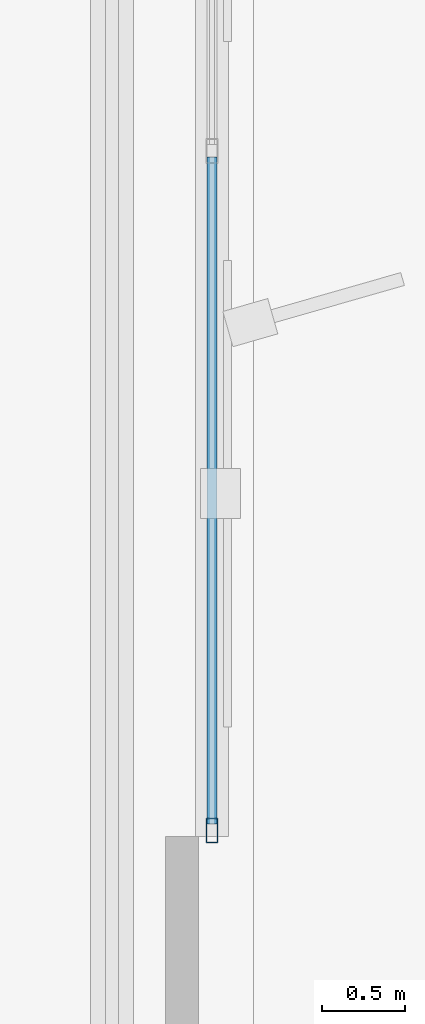
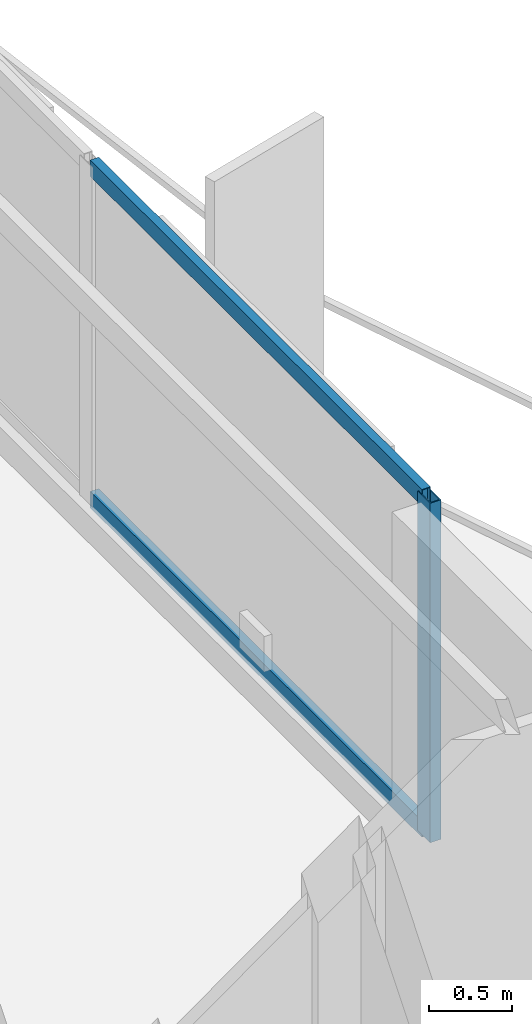
# One storey, part 6 of 17: 3 members, 1 element without a shape of its own.
"""IFC4 building model written with IfcOpenShell, lengths in metres."""

from ifc_helpers import new_model, si_unit, direction, frame, origin, origin_2d, place, context, subcontext, project, spatial, hollow_rectangle, extrude, material, layer, layer_set, material_profile, profile_set, type_object, element, aggregate, save


model = new_model("IFC4")

# Units and contexts
model_context = context("Model", 3, precision=1e-05, world=origin(), true_north=direction((0.0, 1.0)))
body_context = subcontext(model_context, "Body", "Model", "MODEL_VIEW")
ifc_project = project(units=[si_unit("LENGTHUNIT", "METRE"), si_unit("AREAUNIT", "SQUARE_METRE"), si_unit("VOLUMEUNIT", "CUBIC_METRE"), si_unit("PLANEANGLEUNIT", "RADIAN"), si_unit("MASSUNIT", "GRAM", prefix="KILO")], contexts=[model_context])

# Site, building, storey
site_placement = place(None, origin())
site = spatial("IfcSite", under=ifc_project, at=site_placement, CompositionType="ELEMENT")
building_placement = place(site_placement, origin())
building = spatial("IfcBuilding", under=site, at=building_placement, Name="Mersakhor Tower and Convention Hall", CompositionType="ELEMENT")
storey_placement = place(building_placement, frame((0.0, 0.0, 223.199951171875)))
storey = spatial("IfcBuildingStorey", under=building, at=storey_placement, Name="L62", CompositionType="ELEMENT", Elevation=223.199951171875)

# Curtain wall, members
ifc_material_1 = material(Name="Dark solar low-E aluminium curtain wall", Category="aluminium")
ifc_layer = layer(ifc_material_1, 0.179931640625)
ifc_layer_set = layer_set([ifc_layer], Name="Dark solar low-E aluminium curtain wall")
curtain_wall_type = type_object("IfcCurtainWallType", Name="CW-SYS-03", PredefinedType="USERDEFINED", material=ifc_layer_set)
curtain_wall_placement = place(storey_placement, origin())
curtain_wall = element("IfcCurtainWall", 1, at=curtain_wall_placement, inside=storey, type_object=curtain_wall_type, Name="L62 Dark-Glass Curtain Wall F2-B2", ObjectType="CURTAIN WALL", PredefinedType="USERDEFINED")
ifc_material_2 = material(Name="Anodised aluminium EN AW-6063 T6", Category="aluminium")
ifc_material_profile_1 = material_profile(ifc_material_2, hollow_rectangle(XDim=0.074951171875, YDim=0.14990234375, WallThickness=0.00634765625, at=origin_2d()), Name="RHS 150x75x6.3")
ifc_profile_set_1 = profile_set([ifc_material_profile_1], Name="Anodised aluminium EN AW-6063 T6")
member_type_1 = type_object("IfcMemberType", Name="CWM-150x75", PredefinedType="MULLION", material=ifc_profile_set_1)
member_1_placement = place(storey_placement, frame((39.742919921875, 22.673583984375, 0.199951171875), z_axis=(0.0, 0.0, 1.0), x_axis=(1.0, 0.0, 0.0)))
member_1 = element("IfcMember", 2, at=member_1_placement, type_object=member_type_1, Name="CW-03 mullion 3", PredefinedType="MULLION", context=body_context, shape_type="SweptSolid", body=[
    extrude(hollow_rectangle(XDim=0.074951171875, YDim=0.14990234375, WallThickness=0.00634765625, at=origin_2d()), origin(), (0.0, 0.0, 1.0), 2.5),
])
ifc_material_3 = material(Name="Anodised aluminium EN AW-6063 T6", Category="aluminium")
ifc_material_profile_2 = material_profile(ifc_material_3, hollow_rectangle(XDim=0.06005859375, YDim=0.1201171875, WallThickness=0.0048828125, at=origin_2d()), Name="RHS 120x60x5")
ifc_profile_set_2 = profile_set([ifc_material_profile_2], Name="Anodised aluminium EN AW-6063 T6")
member_type_2 = type_object("IfcMemberType", Name="CWT-120x60", PredefinedType="USERDEFINED", material=ifc_profile_set_2)
member_2_placement = place(storey_placement, frame((39.742919921875, 26.71240234375, 0.22998046875), z_axis=(0.0, -1.0, 0.0), x_axis=(1.0, 0.0, 0.0)))
member_2 = element("IfcMember", 3, at=member_2_placement, type_object=member_type_2, Name="CW-03 transom 2.1", ObjectType="TRANSOM", PredefinedType="USERDEFINED", context=body_context, shape_type="SweptSolid", body=[
    extrude(hollow_rectangle(XDim=0.06005859375, YDim=0.1201171875, WallThickness=0.0048828125, at=origin_2d()), origin(), (0.0, 0.0, 1.0), 4.001220703125),
])
member_3_placement = place(storey_placement, frame((39.742919921875, 26.71240234375, 2.670166015625), z_axis=(0.0, -1.0, 0.0), x_axis=(1.0, 0.0, 0.0)))
member_3 = element("IfcMember", 4, at=member_3_placement, type_object=member_type_2, Name="CW-03 transom 2.2", ObjectType="TRANSOM", PredefinedType="USERDEFINED", context=body_context, shape_type="SweptSolid", body=[
    extrude(hollow_rectangle(XDim=0.06005859375, YDim=0.1201171875, WallThickness=0.0048828125, at=origin_2d()), origin(), (0.0, 0.0, 1.0), 4.001220703125),
])
aggregate(curtain_wall, [member_1, member_2, member_3])

save(model, "model.ifc")
